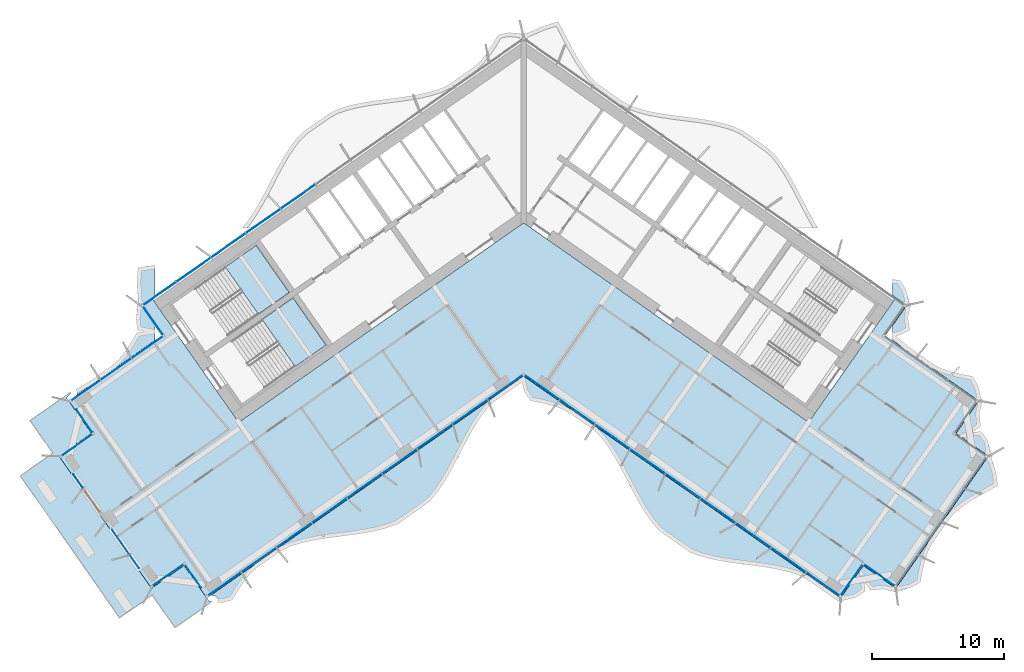
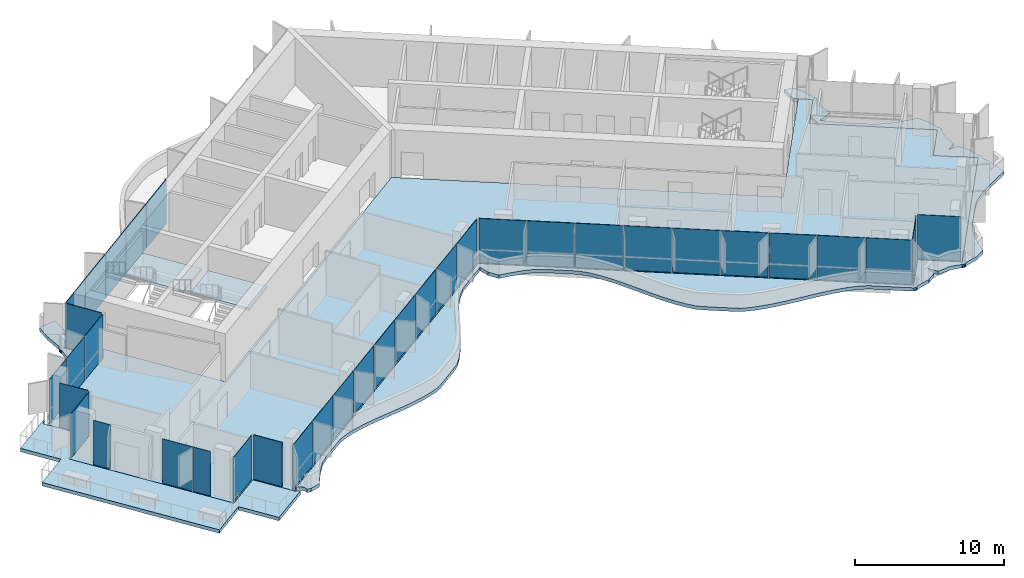
# One storey, part 10 of 22: 36 plates, 6 slabs, 5 elements without a shape of their own.
"""IFC4 building model written with IfcOpenShell, lengths in metres."""

from ifc_helpers import new_model, si_unit, direction, frame, origin, origin_2d, place, context, subcontext, project, spatial, polyline, rectangle, outline, extrude, material, layer, layer_set, type_object, element, aggregate, save


model = new_model("IFC4")

# Units and contexts
model_context = context("Model", 3, precision=1e-05, world=origin(), true_north=direction((0.0, 1.0)))
body_context = subcontext(model_context, "Body", "Model", "MODEL_VIEW")
ifc_project = project(units=[si_unit("LENGTHUNIT", "METRE"), si_unit("AREAUNIT", "SQUARE_METRE"), si_unit("VOLUMEUNIT", "CUBIC_METRE"), si_unit("PLANEANGLEUNIT", "RADIAN"), si_unit("MASSUNIT", "GRAM", prefix="KILO")], contexts=[model_context])

# Site, building, storey
site_placement = place(None, origin())
site = spatial("IfcSite", under=ifc_project, at=site_placement, CompositionType="ELEMENT")
building_placement = place(site_placement, origin())
building = spatial("IfcBuilding", under=site, at=building_placement, Name="Tel Ilan Convention Tower", CompositionType="ELEMENT")
storey_placement = place(building_placement, frame((0.0, 0.0, 202.199951171875)))
storey = spatial("IfcBuildingStorey", under=building, at=storey_placement, Name="L47", CompositionType="ELEMENT", Elevation=202.199951171875)

# Curtain wall, plates
ifc_material_1 = material(Name="Aluminium, bronze anodised", Category="aluminium")
curtain_wall_type_1 = type_object("IfcCurtainWallType", Name="CW4 STICK CURTAIN WALL, OFFICE TINTED GLASS", PredefinedType="NOTDEFINED", material=ifc_material_1)
curtain_wall_1_placement = place(storey_placement, origin())
curtain_wall_1 = element("IfcCurtainWall", 1, at=curtain_wall_1_placement, inside=storey, type_object=curtain_wall_type_1, Name="Curtain wall CW4-37.02", PredefinedType="NOTDEFINED")
ifc_material_2 = material(Name="Glass, bronze tinted, two-ply", Category="glass")
ifc_layer_1 = layer(ifc_material_2, 0.028076171875)
ifc_layer_set_1 = layer_set([ifc_layer_1], Name="CW GLASS PANEL 28")
plate_type_1 = type_object("IfcPlateType", Name="CW GLASS PANEL 28", PredefinedType="CURTAIN_PANEL", material=ifc_layer_set_1)
plate_1_placement = place(storey_placement, frame((-28.457763671875, -10.6484375, 0.0), z_axis=(0.0, 0.0, 1.0), x_axis=(-0.819152044289, -0.573576436351, 0.0)))
plate_1 = element("IfcPlate", 2, at=plate_1_placement, type_object=plate_type_1, Name="Glass panel", PredefinedType="CURTAIN_PANEL", context=body_context, shape_type="SweptSolid", body=[
    extrude(rectangle(XDim=2.835693359375, YDim=0.028076171875, at=origin_2d()), origin(), (0.0, 0.0, 1.0), 3.6201171875),
])
plate_2_placement = place(storey_placement, frame((-30.81787109375, -12.301025390625, 0.0), z_axis=(0.0, 0.0, 1.0), x_axis=(-0.819152044289, -0.573576436351, 0.0)))
plate_2 = element("IfcPlate", 3, at=plate_2_placement, type_object=plate_type_1, Name="Glass panel", PredefinedType="CURTAIN_PANEL", context=body_context, shape_type="SweptSolid", body=[
    extrude(rectangle(XDim=2.806640625, YDim=0.028076171875, at=origin_2d()), origin(), (0.0, 0.0, 1.0), 3.6201171875),
])
plate_3_placement = place(storey_placement, frame((-33.12744140625, -13.918212890625, 0.0), z_axis=(0.0, 0.0, 1.0), x_axis=(-0.819152044289, -0.573576436351, 0.0)))
plate_3 = element("IfcPlate", 4, at=plate_3_placement, type_object=plate_type_1, Name="Glass panel", PredefinedType="CURTAIN_PANEL", context=body_context, shape_type="SweptSolid", body=[
    extrude(rectangle(XDim=2.712646484375, YDim=0.028076171875, at=origin_2d()), origin(), (0.0, 0.0, 1.0), 3.6201171875),
])
plate_4_placement = place(storey_placement, frame((-33.204345703125, -16.215087890625, 0.0), z_axis=(0.0, 0.0, 1.0), x_axis=(0.573576436351, -0.819152044289, 0.0)))
plate_4 = element("IfcPlate", 5, at=plate_4_placement, type_object=plate_type_1, Name="Glass panel", PredefinedType="CURTAIN_PANEL", context=body_context, shape_type="SweptSolid", body=[
    extrude(rectangle(XDim=2.123046875, YDim=0.028076171875, at=origin_2d()), origin(), (0.0, 0.0, 1.0), 3.6201171875),
])
plate_5_placement = place(storey_placement, frame((-33.7978515625, -18.0498046875, 0.0), z_axis=(0.0, 0.0, 1.0), x_axis=(-0.819152044289, -0.573576436351, 0.0)))
plate_5 = element("IfcPlate", 6, at=plate_5_placement, type_object=plate_type_1, Name="Glass panel", PredefinedType="CURTAIN_PANEL", context=body_context, shape_type="SweptSolid", body=[
    extrude(rectangle(XDim=2.875, YDim=0.028076171875, at=origin_2d()), origin(), (0.0, 0.0, 1.0), 3.6201171875),
])
plate_6_placement = place(storey_placement, frame((-33.6767578125, -20.7705078125, 0.0), z_axis=(0.0, 0.0, 1.0), x_axis=(0.573576436351, -0.819152044289, 0.0)))
plate_6 = element("IfcPlate", 7, at=plate_6_placement, type_object=plate_type_1, Name="Glass panel", PredefinedType="CURTAIN_PANEL", context=body_context, shape_type="SweptSolid", body=[
    extrude(rectangle(XDim=1.243896484375, YDim=0.028076171875, at=origin_2d()), origin(), (0.0, 0.0, 1.0), 3.6201171875),
])
aggregate(curtain_wall_1, [plate_1, plate_2, plate_3, plate_4, plate_5, plate_6])

curtain_wall_2_placement = place(storey_placement, origin())
curtain_wall_2 = element("IfcCurtainWall", 8, at=curtain_wall_2_placement, inside=storey, type_object=curtain_wall_type_1, Name="Curtain wall CW4-37.04", PredefinedType="NOTDEFINED")
plate_7_placement = place(storey_placement, frame((-30.46484375, -25.35791015625, 0.0), z_axis=(0.0, 0.0, 1.0), x_axis=(0.573576436351, -0.819152044289, 0.0)))
plate_7 = element("IfcPlate", 9, at=plate_7_placement, type_object=plate_type_1, Name="Glass panel", PredefinedType="CURTAIN_PANEL", context=body_context, shape_type="SweptSolid", body=[
    extrude(rectangle(XDim=2.243896484375, YDim=0.028076171875, at=origin_2d()), origin(), (0.0, 0.0, 1.0), 3.6201171875),
])
plate_8_placement = place(storey_placement, frame((-29.43017578125, -26.835693359375, 0.0), z_axis=(0.0, 0.0, 1.0), x_axis=(0.573576436351, -0.819152044289, 0.0)))
plate_8 = element("IfcPlate", 10, at=plate_8_placement, type_object=plate_type_1, Name="Glass panel", PredefinedType="CURTAIN_PANEL", context=body_context, shape_type="SweptSolid", body=[
    extrude(rectangle(XDim=1.243896484375, YDim=0.028076171875, at=origin_2d()), origin(), (0.0, 0.0, 1.0), 3.6201171875),
])
plate_9_placement = place(storey_placement, frame((-26.914794921875, -27.879638671875, 0.0), z_axis=(0.0, 0.0, 1.0), x_axis=(0.819152044289, 0.573576436351, 0.0)))
plate_9 = element("IfcPlate", 11, at=plate_9_placement, type_object=plate_type_1, Name="Glass panel", PredefinedType="CURTAIN_PANEL", context=body_context, shape_type="SweptSolid", body=[
    extrude(rectangle(XDim=2.875, YDim=0.028076171875, at=origin_2d()), origin(), (0.0, 0.0, 1.0), 3.6201171875),
])
plate_10_placement = place(storey_placement, frame((-24.98779296875, -27.949462890625, 0.0), z_axis=(0.0, 0.0, 1.0), x_axis=(0.573576436351, -0.819152044289, 0.0)))
plate_10 = element("IfcPlate", 12, at=plate_10_placement, type_object=plate_type_1, Name="Glass panel", PredefinedType="CURTAIN_PANEL", context=body_context, shape_type="SweptSolid", body=[
    extrude(rectangle(XDim=2.123046875, YDim=0.028076171875, at=origin_2d()), origin(), (0.0, 0.0, 1.0), 3.6201171875),
])
plate_11_placement = place(storey_placement, frame((-22.646240234375, -28.55322265625, 0.0), z_axis=(0.0, 0.0, 1.0), x_axis=(0.819152044289, 0.573576436351, 0.0)))
plate_11 = element("IfcPlate", 13, at=plate_11_placement, type_object=plate_type_1, Name="Glass panel", PredefinedType="CURTAIN_PANEL", context=body_context, shape_type="SweptSolid", body=[
    extrude(rectangle(XDim=3.095703125, YDim=0.028076171875, at=origin_2d()), origin(), (0.0, 0.0, 1.0), 3.6201171875),
])
plate_12_placement = place(storey_placement, frame((-20.022705078125, -26.716064453125, 0.0), z_axis=(0.0, 0.0, 1.0), x_axis=(0.819152044289, 0.573576436351, 0.0)))
plate_12 = element("IfcPlate", 14, at=plate_12_placement, type_object=plate_type_1, Name="Glass panel", PredefinedType="CURTAIN_PANEL", context=body_context, shape_type="SweptSolid", body=[
    extrude(rectangle(XDim=3.189697265625, YDim=0.028076171875, at=origin_2d()), origin(), (0.0, 0.0, 1.0), 3.6201171875),
])
plate_13_placement = place(storey_placement, frame((-17.360595703125, -24.85205078125, 0.0), z_axis=(0.0, 0.0, 1.0), x_axis=(0.819152044289, 0.573576436351, 0.0)))
plate_13 = element("IfcPlate", 15, at=plate_13_placement, type_object=plate_type_1, Name="Glass panel", PredefinedType="CURTAIN_PANEL", context=body_context, shape_type="SweptSolid", body=[
    extrude(rectangle(XDim=3.189697265625, YDim=0.028076171875, at=origin_2d()), origin(), (0.0, 0.0, 1.0), 3.6201171875),
])
plate_14_placement = place(storey_placement, frame((-14.69873046875, -22.988037109375, 0.0), z_axis=(0.0, 0.0, 1.0), x_axis=(0.819152044289, 0.573576436351, 0.0)))
plate_14 = element("IfcPlate", 16, at=plate_14_placement, type_object=plate_type_1, Name="Glass panel", PredefinedType="CURTAIN_PANEL", context=body_context, shape_type="SweptSolid", body=[
    extrude(rectangle(XDim=3.189697265625, YDim=0.028076171875, at=origin_2d()), origin(), (0.0, 0.0, 1.0), 3.6201171875),
])
plate_15_placement = place(storey_placement, frame((-12.03662109375, -21.124267578125, 0.0), z_axis=(0.0, 0.0, 1.0), x_axis=(0.819152044289, 0.573576436351, 0.0)))
plate_15 = element("IfcPlate", 17, at=plate_15_placement, type_object=plate_type_1, Name="Glass panel", PredefinedType="CURTAIN_PANEL", context=body_context, shape_type="SweptSolid", body=[
    extrude(rectangle(XDim=3.189697265625, YDim=0.028076171875, at=origin_2d()), origin(), (0.0, 0.0, 1.0), 3.6201171875),
])
plate_16_placement = place(storey_placement, frame((-9.37451171875, -19.26025390625, 0.0), z_axis=(0.0, 0.0, 1.0), x_axis=(0.819152044289, 0.573576436351, 0.0)))
plate_16 = element("IfcPlate", 18, at=plate_16_placement, type_object=plate_type_1, Name="Glass panel", PredefinedType="CURTAIN_PANEL", context=body_context, shape_type="SweptSolid", body=[
    extrude(rectangle(XDim=3.189697265625, YDim=0.028076171875, at=origin_2d()), origin(), (0.0, 0.0, 1.0), 3.6201171875),
])
plate_17_placement = place(storey_placement, frame((-6.71240234375, -17.396240234375, 0.0), z_axis=(0.0, 0.0, 1.0), x_axis=(0.819152044289, 0.573576436351, 0.0)))
plate_17 = element("IfcPlate", 19, at=plate_17_placement, type_object=plate_type_1, Name="Glass panel", PredefinedType="CURTAIN_PANEL", context=body_context, shape_type="SweptSolid", body=[
    extrude(rectangle(XDim=3.189697265625, YDim=0.028076171875, at=origin_2d()), origin(), (0.0, 0.0, 1.0), 3.6201171875),
])
plate_18_placement = place(storey_placement, frame((-4.050537109375, -15.5322265625, 0.0), z_axis=(0.0, 0.0, 1.0), x_axis=(0.819152044289, 0.573576436351, 0.0)))
plate_18 = element("IfcPlate", 20, at=plate_18_placement, type_object=plate_type_1, Name="Glass panel", PredefinedType="CURTAIN_PANEL", context=body_context, shape_type="SweptSolid", body=[
    extrude(rectangle(XDim=3.189697265625, YDim=0.028076171875, at=origin_2d()), origin(), (0.0, 0.0, 1.0), 3.6201171875),
])
plate_19_placement = place(storey_placement, frame((-1.388671875, -13.66845703125, 0.0), z_axis=(0.0, 0.0, 1.0), x_axis=(0.819152044289, 0.573576436351, 0.0)))
plate_19 = element("IfcPlate", 21, at=plate_19_placement, type_object=plate_type_1, Name="Glass panel", PredefinedType="CURTAIN_PANEL", context=body_context, shape_type="SweptSolid", body=[
    extrude(rectangle(XDim=3.188720703125, YDim=0.028076171875, at=origin_2d()), origin(), (0.0, 0.0, 1.0), 3.6201171875),
])
plate_20_placement = place(storey_placement, frame((1.400390625, -13.676513671875, 0.0), z_axis=(0.0, 0.0, 1.0), x_axis=(0.819152044289, -0.573576436351, 0.0)))
plate_20 = element("IfcPlate", 22, at=plate_20_placement, type_object=plate_type_1, Name="Glass panel", PredefinedType="CURTAIN_PANEL", context=body_context, shape_type="SweptSolid", body=[
    extrude(rectangle(XDim=3.16064453125, YDim=0.028076171875, at=origin_2d()), origin(), (0.0, 0.0, 1.0), 3.6201171875),
])
plate_21_placement = place(storey_placement, frame((4.050537109375, -15.5322265625, 0.0), z_axis=(0.0, 0.0, 1.0), x_axis=(0.819152044289, -0.573576436351, 0.0)))
plate_21 = element("IfcPlate", 23, at=plate_21_placement, type_object=plate_type_1, Name="Glass panel", PredefinedType="CURTAIN_PANEL", context=body_context, shape_type="SweptSolid", body=[
    extrude(rectangle(XDim=3.189697265625, YDim=0.028076171875, at=origin_2d()), origin(), (0.0, 0.0, 1.0), 3.6201171875),
])
plate_22_placement = place(storey_placement, frame((6.71240234375, -17.396240234375, 0.0), z_axis=(0.0, 0.0, 1.0), x_axis=(0.819152044289, -0.573576436351, 0.0)))
plate_22 = element("IfcPlate", 24, at=plate_22_placement, type_object=plate_type_1, Name="Glass panel", PredefinedType="CURTAIN_PANEL", context=body_context, shape_type="SweptSolid", body=[
    extrude(rectangle(XDim=3.189697265625, YDim=0.028076171875, at=origin_2d()), origin(), (0.0, 0.0, 1.0), 3.6201171875),
])
plate_23_placement = place(storey_placement, frame((9.37451171875, -19.26025390625, 0.0), z_axis=(0.0, 0.0, 1.0), x_axis=(0.819152044289, -0.573576436351, 0.0)))
plate_23 = element("IfcPlate", 25, at=plate_23_placement, type_object=plate_type_1, Name="Glass panel", PredefinedType="CURTAIN_PANEL", context=body_context, shape_type="SweptSolid", body=[
    extrude(rectangle(XDim=3.189697265625, YDim=0.028076171875, at=origin_2d()), origin(), (0.0, 0.0, 1.0), 3.6201171875),
])
plate_24_placement = place(storey_placement, frame((12.03662109375, -21.124267578125, 0.0), z_axis=(0.0, 0.0, 1.0), x_axis=(0.819152044289, -0.573576436351, 0.0)))
plate_24 = element("IfcPlate", 26, at=plate_24_placement, type_object=plate_type_1, Name="Glass panel", PredefinedType="CURTAIN_PANEL", context=body_context, shape_type="SweptSolid", body=[
    extrude(rectangle(XDim=3.189697265625, YDim=0.028076171875, at=origin_2d()), origin(), (0.0, 0.0, 1.0), 3.6201171875),
])
plate_25_placement = place(storey_placement, frame((14.69873046875, -22.988037109375, 0.0), z_axis=(0.0, 0.0, 1.0), x_axis=(0.819152044289, -0.573576436351, 0.0)))
plate_25 = element("IfcPlate", 27, at=plate_25_placement, type_object=plate_type_1, Name="Glass panel", PredefinedType="CURTAIN_PANEL", context=body_context, shape_type="SweptSolid", body=[
    extrude(rectangle(XDim=3.189697265625, YDim=0.028076171875, at=origin_2d()), origin(), (0.0, 0.0, 1.0), 3.6201171875),
])
plate_26_placement = place(storey_placement, frame((17.360595703125, -24.85205078125, 0.0), z_axis=(0.0, 0.0, 1.0), x_axis=(0.819152044289, -0.573576436351, 0.0)))
plate_26 = element("IfcPlate", 28, at=plate_26_placement, type_object=plate_type_1, Name="Glass panel", PredefinedType="CURTAIN_PANEL", context=body_context, shape_type="SweptSolid", body=[
    extrude(rectangle(XDim=3.189697265625, YDim=0.028076171875, at=origin_2d()), origin(), (0.0, 0.0, 1.0), 3.6201171875),
])
plate_27_placement = place(storey_placement, frame((20.022705078125, -26.716064453125, 0.0), z_axis=(0.0, 0.0, 1.0), x_axis=(0.819152044289, -0.573576436351, 0.0)))
plate_27 = element("IfcPlate", 29, at=plate_27_placement, type_object=plate_type_1, Name="Glass panel", PredefinedType="CURTAIN_PANEL", context=body_context, shape_type="SweptSolid", body=[
    extrude(rectangle(XDim=3.189697265625, YDim=0.028076171875, at=origin_2d()), origin(), (0.0, 0.0, 1.0), 3.6201171875),
])
plate_28_placement = place(storey_placement, frame((22.646240234375, -28.55322265625, 0.0), z_axis=(0.0, 0.0, 1.0), x_axis=(0.819152044289, -0.573576436351, 0.0)))
plate_28 = element("IfcPlate", 30, at=plate_28_placement, type_object=plate_type_1, Name="Glass panel", PredefinedType="CURTAIN_PANEL", context=body_context, shape_type="SweptSolid", body=[
    extrude(rectangle(XDim=3.095703125, YDim=0.028076171875, at=origin_2d()), origin(), (0.0, 0.0, 1.0), 3.6201171875),
])
plate_29_placement = place(storey_placement, frame((24.772216796875, -28.257568359375, 0.0), z_axis=(0.0, 0.0, 1.0), x_axis=(0.573576436351, 0.819152044289, 0.0)))
plate_29 = element("IfcPlate", 31, at=plate_29_placement, type_object=plate_type_1, Name="Glass panel", PredefinedType="CURTAIN_PANEL", context=body_context, shape_type="SweptSolid", body=[
    extrude(rectangle(XDim=2.875, YDim=0.028076171875, at=origin_2d()), origin(), (0.0, 0.0, 1.0), 3.6201171875),
])
plate_30_placement = place(storey_placement, frame((26.914794921875, -27.879638671875, 0.0), z_axis=(0.0, 0.0, 1.0), x_axis=(0.819152044289, -0.573576436351, 0.0)))
plate_30 = element("IfcPlate", 32, at=plate_30_placement, type_object=plate_type_1, Name="Glass panel", PredefinedType="CURTAIN_PANEL", context=body_context, shape_type="SweptSolid", body=[
    extrude(rectangle(XDim=2.875, YDim=0.028076171875, at=origin_2d()), origin(), (0.0, 0.0, 1.0), 3.6201171875),
])
aggregate(curtain_wall_2, [plate_7, plate_8, plate_9, plate_10, plate_11, plate_12, plate_13, plate_14, plate_15, plate_16, plate_17, plate_18, plate_19, plate_20, plate_21, plate_22, plate_23, plate_24, plate_25, plate_26, plate_27, plate_28, plate_29, plate_30])

ifc_material_3 = material(Name="Aluminium, bronze anodised", Category="aluminium")
curtain_wall_type_2 = type_object("IfcCurtainWallType", Name="CW2 STICK CURTAIN WALL, SPANDREL PANELS", PredefinedType="NOTDEFINED", material=ifc_material_3)
curtain_wall_3_placement = place(storey_placement, origin())
curtain_wall_3 = element("IfcCurtainWall", 33, at=curtain_wall_3_placement, inside=storey, type_object=curtain_wall_type_2, Name="Curtain wall CW2-37.01", PredefinedType="NOTDEFINED")
ifc_material_4 = material(Name="Aluminium composite panel, bronze anodised", Category="aluminium")
ifc_layer_2 = layer(ifc_material_4, 0.06005859375)
ifc_layer_set_2 = layer_set([ifc_layer_2], Name="CW SPANDREL PANEL 60")
plate_type_2 = type_object("IfcPlateType", Name="CW SPANDREL PANEL 60", PredefinedType="CURTAIN_PANEL", material=ifc_layer_set_2)
plate_31_placement = place(storey_placement, frame((-17.0546875, 0.754150390625, 0.0), z_axis=(0.0, 0.0, 1.0), x_axis=(-0.819152044289, -0.573576436351, 0.0)))
plate_31 = element("IfcPlate", 34, at=plate_31_placement, type_object=plate_type_2, Name="Spandrel panel", PredefinedType="CURTAIN_PANEL", context=body_context, shape_type="SweptSolid", body=[
    extrude(rectangle(XDim=3.15380859375, YDim=0.06005859375, at=origin_2d()), origin(), (0.0, 0.0, 1.0), 3.6201171875),
])
plate_32_placement = place(storey_placement, frame((-19.687255859375, -1.089111328125, 0.0), z_axis=(0.0, 0.0, 1.0), x_axis=(-0.819152044289, -0.573576436351, 0.0)))
plate_32 = element("IfcPlate", 35, at=plate_32_placement, type_object=plate_type_2, Name="Spandrel panel", PredefinedType="CURTAIN_PANEL", context=body_context, shape_type="SweptSolid", body=[
    extrude(rectangle(XDim=3.15380859375, YDim=0.06005859375, at=origin_2d()), origin(), (0.0, 0.0, 1.0), 3.6201171875),
])
plate_33_placement = place(storey_placement, frame((-22.31982421875, -2.9326171875, 0.0), z_axis=(0.0, 0.0, 1.0), x_axis=(-0.819152044289, -0.573576436351, 0.0)))
plate_33 = element("IfcPlate", 36, at=plate_33_placement, type_object=plate_type_2, Name="Spandrel panel", PredefinedType="CURTAIN_PANEL", context=body_context, shape_type="SweptSolid", body=[
    extrude(rectangle(XDim=3.15380859375, YDim=0.06005859375, at=origin_2d()), origin(), (0.0, 0.0, 1.0), 3.6201171875),
])
plate_34_placement = place(storey_placement, frame((-24.95263671875, -4.77587890625, 0.0), z_axis=(0.0, 0.0, 1.0), x_axis=(-0.819152044289, -0.573576436351, 0.0)))
plate_34 = element("IfcPlate", 37, at=plate_34_placement, type_object=plate_type_2, Name="Spandrel panel", PredefinedType="CURTAIN_PANEL", context=body_context, shape_type="SweptSolid", body=[
    extrude(rectangle(XDim=3.15380859375, YDim=0.06005859375, at=origin_2d()), origin(), (0.0, 0.0, 1.0), 3.6201171875),
])
plate_35_placement = place(storey_placement, frame((-27.5400390625, -6.587646484375, 0.0), z_axis=(0.0, 0.0, 1.0), x_axis=(-0.819152044289, -0.573576436351, 0.0)))
plate_35 = element("IfcPlate", 38, at=plate_35_placement, type_object=plate_type_2, Name="Spandrel panel", PredefinedType="CURTAIN_PANEL", context=body_context, shape_type="SweptSolid", body=[
    extrude(rectangle(XDim=3.0439453125, YDim=0.06005859375, at=origin_2d()), origin(), (0.0, 0.0, 1.0), 3.6201171875),
])
plate_36_placement = place(storey_placement, frame((-28.033935546875, -8.60546875, 0.0), z_axis=(0.0, 0.0, 1.0), x_axis=(0.573576436351, -0.819152044289, 0.0)))
plate_36 = element("IfcPlate", 39, at=plate_36_placement, type_object=plate_type_2, Name="Spandrel panel", PredefinedType="CURTAIN_PANEL", context=body_context, shape_type="SweptSolid", body=[
    extrude(rectangle(XDim=2.658935546875, YDim=0.06005859375, at=origin_2d()), origin(), (0.0, 0.0, 1.0), 3.6201171875),
])
aggregate(curtain_wall_3, [plate_31, plate_32, plate_33, plate_34, plate_35, plate_36])

# Stair, slab
ifc_material_5 = material(Name="Concrete C40/50", Category="concrete")
stair_type = type_object("IfcStairType", Name="Pressurised Exit Stair 22 risers 177 mm", PredefinedType="HALF_TURN_STAIR", material=ifc_material_5)
stair_1_placement = place(storey_placement, origin())
stair_1 = element("IfcStair", 40, at=stair_1_placement, inside=storey, type_object=stair_type, Name="L47 Pressurised Stair S1", PredefinedType="HALF_TURN_STAIR")
ifc_material_6 = material(Name="Concrete C40/50", Category="concrete")
ifc_layer_3 = layer(ifc_material_6, 0.199951171875)
ifc_layer_set_3 = layer_set([ifc_layer_3], Name="Concrete Stair Landing 200 mm C40/50")
slab_type_1 = type_object("IfcSlabType", Name="Concrete Stair Landing 200 mm", PredefinedType="LANDING", material=ifc_layer_set_3)
slab_1_placement = place(storey_placement, frame((0.0, 0.0, 1.75)))
slab_1 = element("IfcSlab", 41, at=slab_1_placement, type_object=slab_type_1, Name="S1 landing 1", PredefinedType="LANDING", context=body_context, shape_type="SweptSolid", body=[
    extrude(outline(polyline([(-20.066650390625, -8.130126953125), (-17.7314453125, -6.494873046875), (-20.226318359375, -2.931640625), (-22.561767578125, -4.566650390625), (-20.066650390625, -8.130126953125)])), origin(), (0.0, 0.0, 1.0), 0.199951171875),
])
aggregate(stair_1, [slab_1])

stair_2_placement = place(storey_placement, origin())
stair_2 = element("IfcStair", 42, at=stair_2_placement, inside=storey, type_object=stair_type, Name="L47 Pressurised Stair S2", PredefinedType="HALF_TURN_STAIR")
slab_2_placement = place(storey_placement, frame((0.0, 0.0, 1.75)))
slab_2 = element("IfcSlab", 43, at=slab_2_placement, type_object=slab_type_1, Name="S2 landing 1", PredefinedType="LANDING", context=body_context, shape_type="SweptSolid", body=[
    extrude(outline(polyline([(-17.28466796875, -12.10302734375), (-14.949462890625, -10.4677734375), (-17.444580078125, -6.904541015625), (-19.77978515625, -8.53955078125), (-17.28466796875, -12.10302734375)])), origin(), (0.0, 0.0, 1.0), 0.199951171875),
])
aggregate(stair_2, [slab_2])

# Slabs
ifc_material_7 = material(Name="Concrete C40/50", Category="concrete")
ifc_layer_4 = layer(ifc_material_7, 0.280029296875)
ifc_layer_set_4 = layer_set([ifc_layer_4], Name="Edge Ledge Slab 280 mm C40/50")
slab_type_2 = type_object("IfcSlabType", Name="Edge Ledge Slab 280 mm C40/50", PredefinedType="FLOOR", material=ifc_layer_set_4)
slab_3_placement = place(storey_placement, frame((0.0, 0.0, -0.280029296875)))
element("IfcSlab", 44, at=slab_3_placement, inside=storey, type_object=slab_type_2, Name="L47 edge ledge 1", PredefinedType="FLOOR", context=body_context, shape_type="SweptSolid", body=[
    extrude(outline(polyline([(23.95849609375, -29.593994140625), (25.67919921875, -27.136474609375), (28.13671875, -28.857421875), (35.13427734375, -18.863525390625), (32.6767578125, -17.142822265625), (34.3974609375, -14.685302734375), (27.875, -10.1181640625), (27.875, -9.007080078125), (28.958740234375, -7.458984375), (27.875, -6.7001953125), (27.875, -5.485595703125), (28.465576171875, -5.595458984375), (28.894287109375, -6.267333984375), (29.130859375, -7.21337890625), (29.127685546875, -7.218017578125), (29.1708984375, -7.246826171875), (29.236083984375, -7.34423828125), (29.2587890625, -7.458984375), (29.236083984375, -7.57373046875), (29.199951171875, -7.6279296875), (29.20458984375, -7.631103515625), (29.044921875, -8.373779296875), (29.194091796875, -9.332763671875), (28.4912109375, -9.6953125), (28.123291015625, -9.789794921875), (28.18212890625, -9.817626953125), (28.730712890625, -10.28369140625), (29.285888671875, -10.739990234375), (31.047119140625, -11.973388671875), (31.703369140625, -12.285888671875), (32.42138671875, -12.509521484375), (33.172119140625, -12.68701171875), (33.945068359375, -12.832763671875), (34.3369140625, -13.5224609375), (34.569580078125, -14.439697265625), (34.56640625, -14.4443359375), (34.609619140625, -14.473388671875), (34.6748046875, -14.570556640625), (34.697509765625, -14.685302734375), (34.6748046875, -14.80029296875), (34.638671875, -14.854248046875), (34.643310546875, -14.857421875), (34.455322265625, -15.6416015625), (34.5458984375, -16.62060546875), (33.9111328125, -17.059326171875), (34.61181640625, -16.994384765625), (35.066650390625, -17.652587890625), (35.306396484375, -18.617919921875), (35.302978515625, -18.62255859375), (35.346435546875, -18.651611328125), (35.411376953125, -18.748779296875), (35.43408203125, -18.863525390625), (35.411376953125, -18.978515625), (35.375244140625, -19.032470703125), (35.3798828125, -19.03564453125), (35.716796875, -20.147705078125), (35.840576171875, -21.1103515625), (35.13037109375, -21.489013671875), (34.43017578125, -21.875), (33.759033203125, -22.281005859375), (33.1279296875, -22.71533203125), (32.546142578125, -23.18408203125), (32.0869140625, -23.738525390625), (30.85205078125, -25.502197265625), (30.537841796875, -26.158203125), (30.313720703125, -26.877197265625), (30.135498046875, -27.628662109375), (29.989990234375, -28.40283203125), (29.301025390625, -28.79638671875), (28.38232421875, -29.029296875), (28.377685546875, -29.026123046875), (28.3486328125, -29.0693359375), (28.25146484375, -29.134521484375), (28.13671875, -29.1572265625), (28.021728515625, -29.134521484375), (27.9677734375, -29.098388671875), (27.964599609375, -29.10302734375), (27.1806640625, -28.9150390625), (26.201416015625, -29.005615234375), (25.7626953125, -28.370849609375), (25.827392578125, -29.071533203125), (25.169677734375, -29.526611328125), (24.2041015625, -29.76611328125), (24.199462890625, -29.7626953125), (24.17041015625, -29.80615234375), (24.0732421875, -29.87109375), (23.95849609375, -29.89404296875), (23.843505859375, -29.87109375), (23.78955078125, -29.835205078125), (23.786376953125, -29.839599609375), (21.3291015625, -28.119140625), (20.632080078125, -27.80712890625), (19.875244140625, -27.580322265625), (19.084228515625, -27.402587890625), (18.26708984375, -27.26220703125), (17.432861328125, -27.14599609375), (16.591796875, -27.03955078125), (15.75439453125, -26.92822265625), (14.930419921875, -26.79736328125), (14.1298828125, -26.63330078125), (13.361083984375, -26.423583984375), (12.631103515625, -26.15869140625), (12.007080078125, -25.742431640625), (10.778564453125, -24.882080078125), (10.174072265625, -24.437744140625), (9.675537109375, -23.84228515625), (9.2158203125, -23.191162109375), (8.7880859375, -22.494873046875), (8.38330078125, -21.765380859375), (7.9921875, -21.016357421875), (7.6044921875, -20.262451171875), (7.2099609375, -19.5185546875), (6.798583984375, -18.798583984375), (6.36083984375, -18.1162109375), (5.888916015625, -17.48291015625), (5.356689453125, -16.935302734375), (3.513916015625, -15.644775390625), (2.855712890625, -15.277099609375), (2.112060546875, -15.03173828125), (1.331787109375, -14.8388671875), (0.522216796875, -14.687255859375), (0.0673828125, -14.029296875), (-0.12109375, -13.269287109375), (-2.28515625, -14.784423828125), (-2.81689453125, -15.332763671875), (-3.288818359375, -15.96630859375), (-3.726318359375, -16.648681640625), (-4.1376953125, -17.368896484375), (-4.5322265625, -18.11279296875), (-4.919921875, -18.86669921875), (-5.310791015625, -19.61572265625), (-5.7158203125, -20.34521484375), (-6.143798828125, -21.041259765625), (-6.603515625, -21.692138671875), (-7.102294921875, -22.287353515625), (-7.706787109375, -22.7314453125), (-8.935546875, -23.591796875), (-9.559814453125, -24.007568359375), (-10.289794921875, -24.272216796875), (-11.058837890625, -24.481689453125), (-11.859619140625, -24.645751953125), (-12.68359375, -24.776611328125), (-13.52099609375, -24.8876953125), (-14.362060546875, -24.994140625), (-15.1962890625, -25.110595703125), (-16.01318359375, -25.2509765625), (-16.80419921875, -25.428955078125), (-17.560791015625, -25.65576171875), (-18.257568359375, -25.968505859375), (-20.100341796875, -27.2587890625), (-20.6708984375, -27.75146484375), (-21.156005859375, -28.366455078125), (-21.604248046875, -29.03369140625), (-22.0234375, -29.742431640625), (-22.79736328125, -29.94482421875), (-23.08544921875, -29.914306640625), (-23.084228515625, -29.870361328125), (-23.087890625, -29.821533203125), (-23.09619140625, -29.773193359375), (-23.10888671875, -29.725830078125), (-23.12646484375, -29.679931640625), (-23.1484375, -29.635986328125), (-23.174560546875, -29.594482421875), (-23.20458984375, -29.555908203125), (-23.23828125, -29.52001953125), (-23.275390625, -29.488037109375), (-23.3154296875, -29.459716796875), (-23.358154296875, -29.435302734375), (-23.403076171875, -29.415283203125), (-23.449462890625, -29.39990234375), (-23.497314453125, -29.388916015625), (-23.546142578125, -29.3828125), (-23.59521484375, -29.38134765625), (-23.66162109375, -29.38623046875), (0.0, -12.818115234375), (23.95849609375, -29.593994140625)])), origin(), (0.0, 0.0, 1.0), 0.280029296875),
])
slab_4_placement = place(storey_placement, frame((0.0, 0.0, -0.280029296875)))
element("IfcSlab", 45, at=slab_4_placement, inside=storey, type_object=slab_type_2, Name="L47 edge ledge 3", PredefinedType="FLOOR", context=body_context, shape_type="SweptSolid", body=[
    extrude(outline(polyline([(-30.529296875, -11.463623046875), (-30.0732421875, -10.865234375), (-29.649658203125, -10.220703125), (-29.24853515625, -9.544189453125), (-28.642333984375, -9.441650390625), (-29.194091796875, -9.332763671875), (-29.29443359375, -8.548583984375), (-29.20458984375, -7.631103515625), (-29.199951171875, -7.6279296875), (-29.236083984375, -7.57373046875), (-29.2587890625, -7.458984375), (-29.236083984375, -7.34423828125), (-29.1708984375, -7.246826171875), (-29.127685546875, -7.218017578125), (-29.130859375, -7.21337890625), (-29.231689453125, -5.78515625), (-29.161865234375, -4.60107421875), (-28.33935546875, -4.49169921875), (-27.875, -4.4326171875), (-27.875, -6.7001953125), (-28.958740234375, -7.458984375), (-27.875, -9.007080078125), (-27.875, -10.1181640625), (-33.78076171875, -14.253662109375), (-33.775146484375, -14.23681640625), (-33.764404296875, -14.188720703125), (-33.758056640625, -14.14013671875), (-33.7568359375, -14.091064453125), (-33.76025390625, -14.0419921875), (-33.7685546875, -13.993896484375), (-33.781494140625, -13.9462890625), (-33.799072265625, -13.900634765625), (-33.821044921875, -13.856689453125), (-33.848876953125, -13.812255859375), (-33.42724609375, -13.572265625), (-32.808349609375, -13.20654296875), (-31.047119140625, -11.973388671875), (-30.529296875, -11.463623046875)])), origin(), (0.0, 0.0, 1.0), 0.280029296875),
])
ifc_material_8 = material(Name="Concrete C40/50", Category="concrete")
ifc_layer_5 = layer(ifc_material_8, 0.280029296875)
ifc_layer_set_5 = layer_set([ifc_layer_5], Name="Flat Plate Floor Slab 280 mm C40/50")
slab_type_3 = type_object("IfcSlabType", Name="Flat Plate Floor Slab 280 mm C40/50", PredefinedType="FLOOR", material=ifc_layer_set_5)
slab_5_placement = place(storey_placement, frame((0.0, 0.0, -0.280029296875)))
element("IfcSlab", 46, at=slab_5_placement, inside=storey, type_object=slab_type_3, Name="L47 floor slab", PredefinedType="FLOOR", context=body_context, shape_type="SweptSolid", body=[
    extrude(outline(polyline([(-25.67919921875, -27.136474609375), (-28.13671875, -28.857421875), (-35.13427734375, -18.863525390625), (-32.6767578125, -17.142822265625), (-34.3974609375, -14.685302734375), (-27.352783203125, -9.752685546875), (-28.958740234375, -7.458984375), (-28.1396484375, -6.885498046875), (-21.54345703125, -16.3056640625), (0.0, -1.220703125), (21.54345703125, -16.3056640625), (28.1396484375, -6.885498046875), (28.958740234375, -7.458984375), (27.352783203125, -9.752685546875), (34.3974609375, -14.685302734375), (32.6767578125, -17.142822265625), (35.13427734375, -18.863525390625), (28.13671875, -28.857421875), (25.67919921875, -27.136474609375), (23.95849609375, -29.593994140625), (0.0, -12.818115234375), (-23.95849609375, -29.593994140625), (-25.67919921875, -27.136474609375)])), origin(), (0.0, 0.0, 1.0), 0.280029296875),
])
ifc_material_9 = material(Name="Concrete C40/50", Category="concrete")
ifc_layer_6 = layer(ifc_material_9, 0.280029296875)
ifc_layer_set_6 = layer_set([ifc_layer_6], Name="Terrace Deck Slab 280 mm C40/50")
slab_type_4 = type_object("IfcSlabType", Name="Terrace Deck Slab 280 mm C40/50", PredefinedType="FLOOR", material=ifc_layer_set_6)
slab_6_placement = place(storey_placement, frame((0.0, 0.0, -0.280029296875)))
element("IfcSlab", 47, at=slab_6_placement, inside=storey, type_object=slab_type_4, Name="L47 terrace deck 1", PredefinedType="FLOOR", context=body_context, shape_type="SweptSolid", body=[
    extrude(outline(polyline([(-30.540771484375, -31.090087890625), (-38.0546875, -20.359130859375), (-35.59716796875, -18.638427734375), (-37.31787109375, -16.180908203125), (-34.287109375, -14.05859375), (-34.2451171875, -14.11865234375), (-34.569580078125, -14.439697265625), (-32.6767578125, -17.142822265625), (-35.13427734375, -18.863525390625), (-28.13671875, -28.857421875), (-25.67919921875, -27.136474609375), (-23.786376953125, -29.839599609375), (-23.559326171875, -29.864013671875), (-26.362548828125, -31.82666015625), (-28.083251953125, -29.369384765625), (-30.540771484375, -31.090087890625)])), origin(), (0.0, 0.0, 1.0), 0.280029296875),
])

save(model, "model.ifc")
